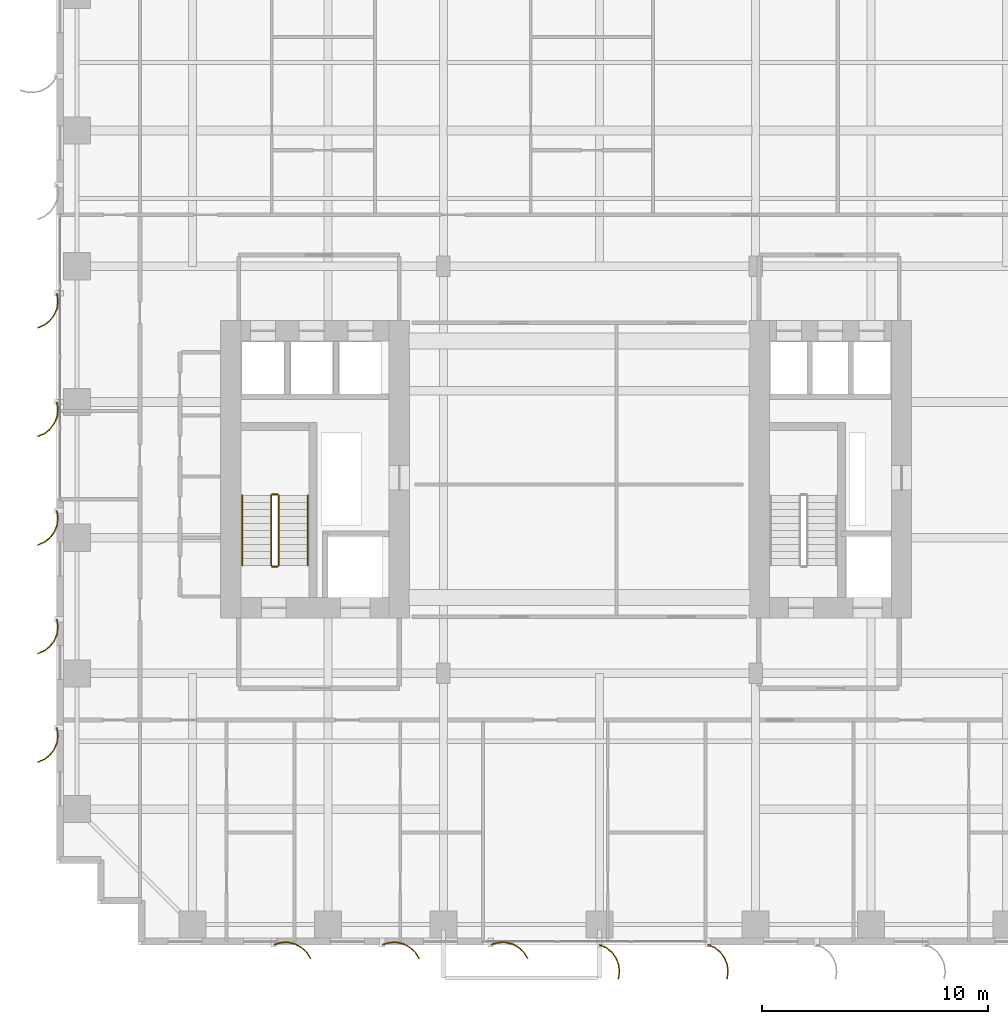
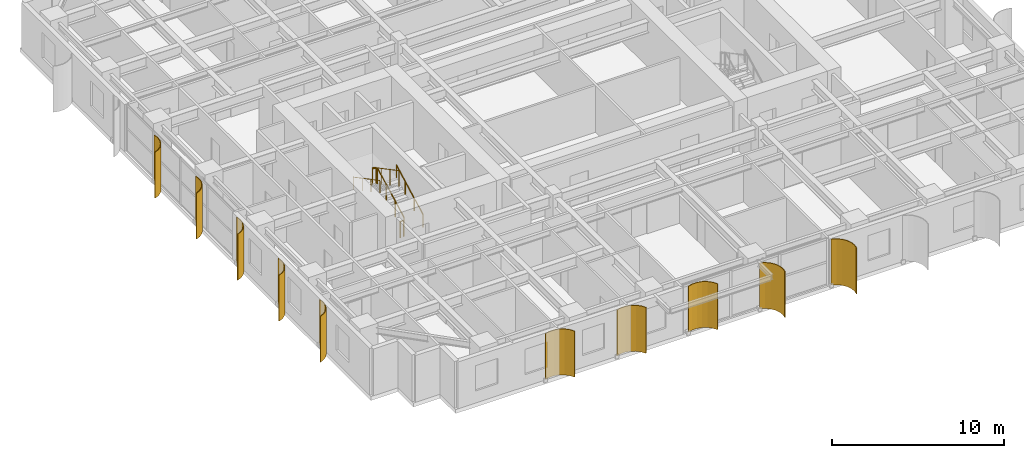
# One storey, part 20 of 22: 10 shading devices, 6 railings.
"""IFC4 building model written with IfcOpenShell, lengths in metres."""

from ifc_helpers import new_model, si_unit, direction, frame, origin, origin_2d, place, context, subcontext, project, spatial, polyline, circle, outline, extrude, source, transform, mapped, material, layer, layer_set, type_object, element, save


model = new_model("IFC4")

# Units and contexts
model_context = context("Model", 3, precision=1e-05, world=origin(), true_north=direction((0.0, 1.0)))
body_context = subcontext(model_context, "Body", "Model", "MODEL_VIEW")
ifc_project = project(units=[si_unit("LENGTHUNIT", "METRE"), si_unit("AREAUNIT", "SQUARE_METRE"), si_unit("VOLUMEUNIT", "CUBIC_METRE"), si_unit("PLANEANGLEUNIT", "RADIAN"), si_unit("MASSUNIT", "GRAM", prefix="KILO")], contexts=[model_context])

# Site, building, storey
site_placement = place(None, origin())
site = spatial("IfcSite", under=ifc_project, at=site_placement, CompositionType="ELEMENT")
building_placement = place(site_placement, origin())
building = spatial("IfcBuilding", under=site, at=building_placement, Name="Khoralis Quay Care Tower", CompositionType="ELEMENT")
storey_placement = place(building_placement, frame((0.0, 0.0, 44.10009765625)))
storey = spatial("IfcBuildingStorey", under=building, at=storey_placement, Name="L11", CompositionType="ELEMENT", Elevation=44.10009765625)

# Railings
ifc_material_1 = material(Name="Brushed stainless steel", Category="steel")
railing_type_1 = type_object("IfcRailingType", Name="RL-GUARD-1150", PredefinedType="GUARDRAIL", material=ifc_material_1)
railing_1_placement = place(storey_placement, frame((9.820068359375, 16.77001953125, 0.16357421875)))
element("IfcRailing", 1, at=railing_1_placement, inside=storey, type_object=railing_type_1, Name="L11 ST-T1 stair guard 1", PredefinedType="GUARDRAIL", context=body_context, shape_type="SweptSolid", body=[
    extrude(circle(Radius=0.02392578125, at=origin_2d()), frame((0.0, 0.0, 1.1259765625), z_axis=(0.0, 0.884376766648, 0.46677375099), x_axis=(-1.0, 0.0, 0.0)), (0.0, 0.0, 1.0), 3.50537109375),
    extrude(circle(Radius=0.02099609375, at=origin_2d()), origin(), (0.0, 0.0, 1.0), 1.101806640625),
    extrude(circle(Radius=0.02099609375, at=origin_2d()), frame((0.0, 1.033447265625, 0.54541015625)), (0.0, 0.0, 1.0), 1.101806640625),
    extrude(circle(Radius=0.02099609375, at=origin_2d()), frame((0.0, 2.066650390625, 1.0908203125)), (0.0, 0.0, 1.0), 1.101806640625),
    extrude(circle(Radius=0.02099609375, at=origin_2d()), frame((0.0, 3.10009765625, 1.63623046875)), (0.0, 0.0, 1.0), 1.101806640625),
])
railing_2_placement = place(storey_placement, frame((9.77001953125, 19.919921875, 1.7998046875)))
element("IfcRailing", 2, at=railing_2_placement, inside=storey, type_object=railing_type_1, Name="L11 ST-T1 stair guard 2", PredefinedType="GUARDRAIL", context=body_context, shape_type="SweptSolid", body=[
    extrude(circle(Radius=0.02392578125, at=origin_2d()), frame((0.0, 0.0, 1.1259765625), z_axis=(-1.0, 0.0, 0.0), x_axis=(0.0, -1.0, 0.0)), (0.0, 0.0, 1.0), 0.239990234375),
    extrude(circle(Radius=0.02099609375, at=origin_2d()), origin(), (0.0, 0.0, 1.0), 1.101806640625),
    extrude(circle(Radius=0.02099609375, at=origin_2d()), frame((-0.239990234375, 0.0, 0.0)), (0.0, 0.0, 1.0), 1.101806640625),
])
railing_3_placement = place(storey_placement, frame((9.47998046875, 19.8701171875, 1.963623046875)))
element("IfcRailing", 3, at=railing_3_placement, inside=storey, type_object=railing_type_1, Name="L11 ST-T1 stair guard 3", PredefinedType="GUARDRAIL", context=body_context, shape_type="SweptSolid", body=[
    extrude(circle(Radius=0.02392578125, at=origin_2d()), frame((0.0, 0.0, 1.1259765625), z_axis=(0.0, -0.884376766648, 0.46677375099), x_axis=(1.0, 0.0, 0.0)), (0.0, 0.0, 1.0), 3.50537109375),
    extrude(circle(Radius=0.02099609375, at=origin_2d()), origin(), (0.0, 0.0, 1.0), 1.101806640625),
    extrude(circle(Radius=0.02099609375, at=origin_2d()), frame((0.0, -1.033447265625, 0.54541015625)), (0.0, 0.0, 1.0), 1.101806640625),
    extrude(circle(Radius=0.02099609375, at=origin_2d()), frame((0.0, -2.066650390625, 1.0908203125)), (0.0, 0.0, 1.0), 1.101806640625),
    extrude(circle(Radius=0.02099609375, at=origin_2d()), frame((0.0, -3.10009765625, 1.63623046875)), (0.0, 0.0, 1.0), 1.101806640625),
])
railing_4_placement = place(storey_placement, frame((9.77001953125, 16.719970703125, 0.0)))
element("IfcRailing", 4, at=railing_4_placement, inside=storey, type_object=railing_type_1, Name="L11 ST-T1 stair guard 4", PredefinedType="GUARDRAIL", context=body_context, shape_type="SweptSolid", body=[
    extrude(circle(Radius=0.02392578125, at=origin_2d()), frame((0.0, 0.0, 1.1259765625), z_axis=(-1.0, 0.0, 0.0), x_axis=(0.0, -1.0, 0.0)), (0.0, 0.0, 1.0), 0.239990234375),
    extrude(circle(Radius=0.02099609375, at=origin_2d()), origin(), (0.0, 0.0, 1.0), 1.101806640625),
    extrude(circle(Radius=0.02099609375, at=origin_2d()), frame((-0.239990234375, 0.0, 0.0)), (0.0, 0.0, 1.0), 1.101806640625),
])
railing_type_2 = type_object("IfcRailingType", Name="RL-HAND-900", PredefinedType="HANDRAIL", material=ifc_material_1)
railing_5_placement = place(storey_placement, frame((11.10009765625, 16.77001953125, 0.16357421875)))
element("IfcRailing", 5, at=railing_5_placement, inside=storey, type_object=railing_type_2, Name="L11 ST-T1 stair handrail 1", PredefinedType="HANDRAIL", context=body_context, shape_type="SweptSolid", body=[
    extrude(circle(Radius=0.02392578125, at=origin_2d()), frame((0.0, 0.0, 0.8759765625), z_axis=(0.0, 0.884376766648, 0.46677375099), x_axis=(-1.0, 0.0, 0.0)), (0.0, 0.0, 1.0), 3.50537109375),
    extrude(circle(Radius=0.02099609375, at=origin_2d()), origin(), (0.0, 0.0, 1.0), 0.851806640625),
    extrude(circle(Radius=0.02099609375, at=origin_2d()), frame((0.0, 1.033447265625, 0.54541015625)), (0.0, 0.0, 1.0), 0.851806640625),
    extrude(circle(Radius=0.02099609375, at=origin_2d()), frame((0.0, 2.066650390625, 1.0908203125)), (0.0, 0.0, 1.0), 0.851806640625),
    extrude(circle(Radius=0.02099609375, at=origin_2d()), frame((0.0, 3.10009765625, 1.63623046875)), (0.0, 0.0, 1.0), 0.851806640625),
])
railing_6_placement = place(storey_placement, frame((8.199951171875, 19.8701171875, 1.963623046875)))
element("IfcRailing", 6, at=railing_6_placement, inside=storey, type_object=railing_type_2, Name="L11 ST-T1 stair handrail 2", PredefinedType="HANDRAIL", context=body_context, shape_type="SweptSolid", body=[
    extrude(circle(Radius=0.02392578125, at=origin_2d()), frame((0.0, 0.0, 0.8759765625), z_axis=(0.0, -0.884376766648, 0.46677375099), x_axis=(1.0, 0.0, 0.0)), (0.0, 0.0, 1.0), 3.50537109375),
    extrude(circle(Radius=0.02099609375, at=origin_2d()), origin(), (0.0, 0.0, 1.0), 0.851806640625),
    extrude(circle(Radius=0.02099609375, at=origin_2d()), frame((0.0, -1.033447265625, 0.54541015625)), (0.0, 0.0, 1.0), 0.851806640625),
    extrude(circle(Radius=0.02099609375, at=origin_2d()), frame((0.0, -2.066650390625, 1.0908203125)), (0.0, 0.0, 1.0), 0.851806640625),
    extrude(circle(Radius=0.02099609375, at=origin_2d()), frame((0.0, -3.10009765625, 1.63623046875)), (0.0, 0.0, 1.0), 0.851806640625),
])

# Shading devices
ifc_material_2 = material(Name="Brushed pale anodised aluminium", Category="aluminium")
ifc_layer = layer(ifc_material_2, 0.044921875)
ifc_layer_set = layer_set([ifc_layer], Name="Brushed pale anodised aluminium")
shading_device_type = type_object("IfcShadingDeviceType", Name="SHD-FIN-1250", PredefinedType="USERDEFINED", material=ifc_layer_set)
shared_shape_1 = source(origin(), body_context, "Body", "SweptSolid", [
    extrude(outline(polyline([(0.0, 0.0), (0.130126953125, 0.29931640625), (0.333251953125, 0.5546875), (0.595458984375, 0.748779296875), (0.899169921875, 0.868408203125), (1.223388671875, 0.9052734375), (1.546142578125, 0.85693359375), (1.53369140625, 0.813720703125), (1.22265625, 0.8603515625), (0.91015625, 0.82470703125), (0.617431640625, 0.70947265625), (0.364501953125, 0.522216796875), (0.168701171875, 0.276123046875), (0.043212890625, -0.012451171875), (0.0, 0.0)])), origin(), (0.0, 0.0, 1.0), 3.259765625),
])
for number, where, z_axis, x_axis, name in (
    (7, (24.0, 0.030029296875, 0.02001953125), (0.0, 0.0, 1.0), (0.0, -1.0, 0.0), "L11 Curved Solar Fin P1E0-04"),
    (8, (28.800048828125, 0.030029296875, 0.02001953125), (0.0, 0.0, 1.0), (0.0, -1.0, 0.0), "L11 Curved Solar Fin P1E0-05"),
):
    element("IfcShadingDevice", number, at=place(storey_placement, frame(where, z_axis=z_axis, x_axis=x_axis)), inside=storey, type_object=shading_device_type, Name=name, ObjectType="FIN", PredefinedType="USERDEFINED", context=body_context, shape_type="MappedRepresentation", body=[
        mapped(shared_shape_1, transform((0.0, 0.0, 0.0), scale=1.0)),
    ])
shared_shape_2 = source(origin(), body_context, "Body", "SweptSolid", [
    extrude(outline(polyline([(0.0, 0.0), (-0.04833984375, 0.32275390625), (-0.01123046875, 0.64697265625), (0.1083984375, 0.950439453125), (0.302490234375, 1.212890625), (0.557861328125, 1.416015625), (0.85693359375, 1.546142578125), (0.869384765625, 1.5029296875), (0.5810546875, 1.37744140625), (0.334716796875, 1.181640625), (0.147705078125, 0.9287109375), (0.032470703125, 0.635986328125), (-0.003173828125, 0.323486328125), (0.043212890625, 0.012451171875), (0.0, 0.0)])), origin(), (0.0, 0.0, 1.0), 3.259765625),
])
for number, where, z_axis, x_axis, name in (
    (9, (0.030029296875, 28.800048828125, 0.02001953125), (0.0, 0.0, 1.0), (-1.0, 0.0, 0.0), "L11 Curved Solar Fin P1E15-03"),
    (10, (0.030029296875, 24.0, 0.02001953125), (0.0, 0.0, 1.0), (-1.0, 0.0, 0.0), "L11 Curved Solar Fin P1E15-04"),
    (11, (0.030029296875, 19.199951171875, 0.02001953125), (0.0, 0.0, 1.0), (-1.0, 0.0, 0.0), "L11 Curved Solar Fin P1E15-05"),
    (12, (0.030029296875, 14.39990234375, 0.02001953125), (0.0, 0.0, 1.0), (-1.0, 0.0, 0.0), "L11 Curved Solar Fin P1E15-06"),
    (13, (0.030029296875, 9.60009765625, 0.02001953125), (0.0, 0.0, 1.0), (-1.0, 0.0, 0.0), "L11 Curved Solar Fin P1E15-07"),
):
    element("IfcShadingDevice", number, at=place(storey_placement, frame(where, z_axis=z_axis, x_axis=x_axis)), inside=storey, type_object=shading_device_type, Name=name, ObjectType="FIN", PredefinedType="USERDEFINED", context=body_context, shape_type="MappedRepresentation", body=[
        mapped(shared_shape_2, transform((0.0, 0.0, 0.0), scale=1.0)),
    ])
shared_shape_3 = source(origin(), body_context, "Body", "SweptSolid", [
    extrude(outline(polyline([(0.0, 0.0), (-0.0927734375, 0.31298828125), (-0.101318359375, 0.63916015625), (-0.025146484375, 0.956298828125), (0.130615234375, 1.2431640625), (0.355224609375, 1.479736328125), (0.633544921875, 1.650390625), (0.65185546875, 1.609130859375), (0.383544921875, 1.44482421875), (0.1669921875, 1.216796875), (0.01708984375, 0.940185546875), (-0.056396484375, 0.63427734375), (-0.04833984375, 0.31982421875), (0.041015625, 0.018310546875), (0.0, 0.0)])), origin(), (0.0, 0.0, 1.0), 3.259765625),
])
for number, where, z_axis, x_axis, name in (
    (14, (9.60009765625, 0.030029296875, 0.02001953125), (0.0, 0.0, 1.0), (0.0, -1.0, 0.0), "L11 Curved Solar Fin P1E0-01"),
    (15, (14.39990234375, 0.030029296875, 0.02001953125), (0.0, 0.0, 1.0), (0.0, -1.0, 0.0), "L11 Curved Solar Fin P1E0-02"),
    (16, (19.199951171875, 0.030029296875, 0.02001953125), (0.0, 0.0, 1.0), (0.0, -1.0, 0.0), "L11 Curved Solar Fin P1E0-03"),
):
    element("IfcShadingDevice", number, at=place(storey_placement, frame(where, z_axis=z_axis, x_axis=x_axis)), inside=storey, type_object=shading_device_type, Name=name, ObjectType="FIN", PredefinedType="USERDEFINED", context=body_context, shape_type="MappedRepresentation", body=[
        mapped(shared_shape_3, transform((0.0, 0.0, 0.0), scale=1.0)),
    ])

save(model, "model.ifc")
